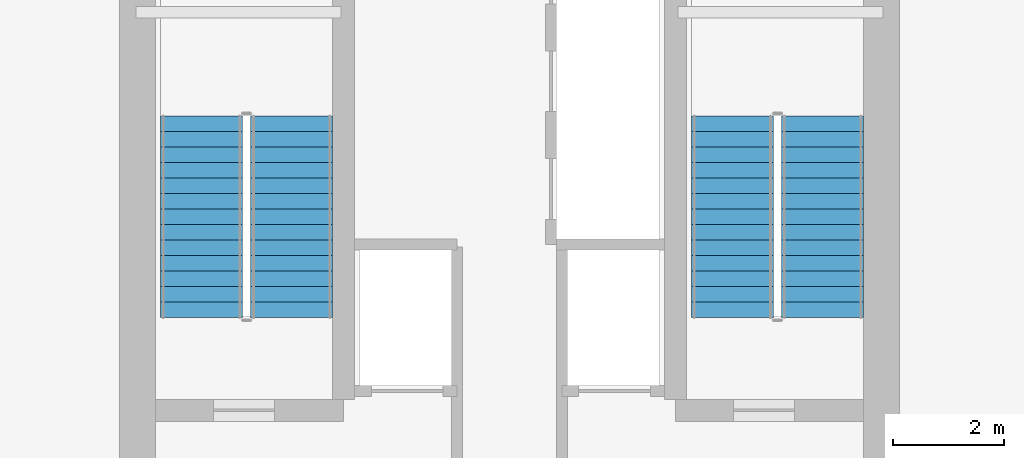
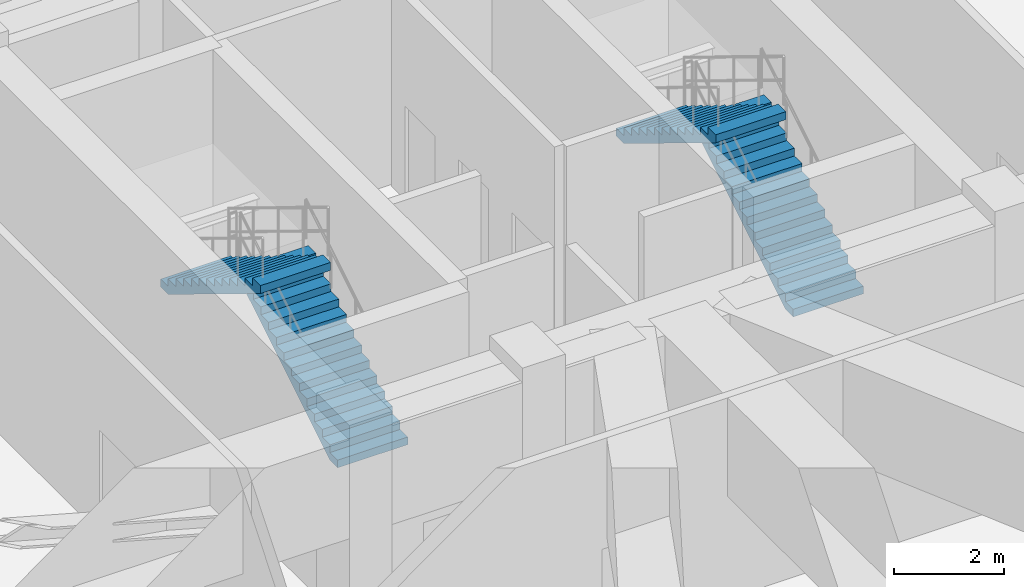
# One storey, part 34 of 36: 4 stair flights, 2 elements without a shape of their own.
"""IFC4 building model written with IfcOpenShell, lengths in metres."""

import ifcopenshell
import ifcopenshell.guid

model = None  # the IFC model being written
_history = None  # IfcOwnerHistory: only IFC2X3 demands one
_inside = {}  # id of a spatial element -> (the spatial element, [elements in it])
_under = {}  # id of a project, library or spatial element -> (it, [spatial elements below it])
_declared = {}  # id of a project -> (the project, [libraries it declares])
_typed = {}  # id of a type object -> (the type object, [elements of that type])
_made_of = {}  # id of a material, layer set ... -> (it, [elements and type objects made of it])


def new_model(schema):
    """Start an empty IFC model of exactly this schema.

    Asked for "IFC4X3", IfcOpenShell would pick the latest addendum, in which some entities
    have other attributes; the version numbers below select the first issue.
    IFC2X3 requires an IfcOwnerHistory on every rooted entity: one is made here for all.
    """
    global model, _history
    if schema == "IFC4X3":
        model = ifcopenshell.file(schema_version=(4, 3, 0, 0))
    else:
        model = ifcopenshell.file(schema=schema)
    _inside.clear()
    _under.clear()
    _declared.clear()
    _typed.clear()
    _made_of.clear()
    _history = None
    if model.schema == "IFC2X3":
        org = make("IfcOrganization", Name="unknown")
        user = make(
            "IfcPersonAndOrganization",
            ThePerson=make("IfcPerson", FamilyName="unknown"),
            TheOrganization=org,
        )
        app = make(
            "IfcApplication",
            ApplicationDeveloper=org,
            Version="unknown",
            ApplicationFullName="unknown",
            ApplicationIdentifier="unknown",
        )
        _history = make(
            "IfcOwnerHistory",
            OwningUser=user,
            OwningApplication=app,
            ChangeAction="ADDED",
            CreationDate=0,
        )
    return model


def make(cls, **values):
    """One entity of the class cls with the attributes given. An attribute that is None is left unset."""
    return model.create_entity(
        cls, **{name: value for name, value in values.items() if value is not None}
    )


def rooted(cls, **values):
    """An entity with a GlobalId (a new one), such as an element, a storey or a relation."""
    return make(cls, GlobalId=ifcopenshell.guid.new(), OwnerHistory=_history, **values)


def si_unit(unit_type, name, prefix=None):
    """IfcSIUnit, for example si_unit("LENGTHUNIT", "METRE", prefix="MILLI")."""
    return make("IfcSIUnit", UnitType=unit_type, Prefix=prefix, Name=name)


def assignment(units):
    """IfcUnitAssignment: the units of a project."""
    return None if units is None else make("IfcUnitAssignment", Units=units)


def point(xyz):
    """IfcCartesianPoint."""
    return None if xyz is None else make("IfcCartesianPoint", Coordinates=xyz)


def direction(xyz):
    """IfcDirection."""
    return None if xyz is None else make("IfcDirection", DirectionRatios=xyz)


def frame(location, z_axis=None, x_axis=None):
    """IfcAxis2Placement3D, a coordinate frame: its origin and axes. An axis left out is left unset."""
    return make(
        "IfcAxis2Placement3D",
        Location=point(location),
        Axis=direction(z_axis),
        RefDirection=direction(x_axis),
    )


def origin():
    """The frame at (0, 0, 0) with its axes left unset."""
    return frame((0.0, 0.0, 0.0))


def place(relative_to, where):
    """IfcLocalPlacement: puts the frame where relative to a parent placement (None: the world)."""
    return make(
        "IfcLocalPlacement", PlacementRelTo=relative_to, RelativePlacement=where
    )


def context(
    kind, dimensions, precision=None, world=None, true_north=None, identifier=None
):
    """IfcGeometricRepresentationContext, for example the 3D "Model" context."""
    return make(
        "IfcGeometricRepresentationContext",
        ContextIdentifier=identifier,
        ContextType=kind,
        CoordinateSpaceDimension=dimensions,
        Precision=precision,
        WorldCoordinateSystem=world,
        TrueNorth=true_north,
    )


def subcontext(parent, identifier, kind, view, scale=None):
    """IfcGeometricRepresentationSubContext, for example "Body" below "Model"."""
    return make(
        "IfcGeometricRepresentationSubContext",
        ContextIdentifier=identifier,
        ContextType=kind,
        ParentContext=parent,
        TargetScale=scale,
        TargetView=view,
    )


def project(units=None, contexts=None):
    """IfcProject with its units and contexts."""
    return rooted(
        "IfcProject",
        Name="project",
        RepresentationContexts=contexts,
        UnitsInContext=assignment(units),
    )


def spatial(cls, under=None, at=None, **own):
    """A site, building, storey or space (cls), placed at a placement, below another one or the project."""
    s = rooted(cls, ObjectPlacement=at, **own)
    if under is not None:
        _under.setdefault(under.id(), (under, []))[1].append(s)
    return s


def polyline(points):
    """IfcPolyline through the points."""
    return make("IfcPolyline", Points=[point(p) for p in points])


def outline(outer, holes=None, kind="AREA"):
    """IfcArbitraryClosedProfileDef: a profile drawn as a closed curve; with holes, ...WithVoids."""
    if holes is None:
        return make("IfcArbitraryClosedProfileDef", ProfileType=kind, OuterCurve=outer)
    return make(
        "IfcArbitraryProfileDefWithVoids",
        ProfileType=kind,
        OuterCurve=outer,
        InnerCurves=holes,
    )


def extrude(swept, where, along, depth):
    """IfcExtrudedAreaSolid: the profile swept, set in the frame where, extruded along a direction by depth."""
    return make(
        "IfcExtrudedAreaSolid",
        SweptArea=swept,
        Position=where,
        ExtrudedDirection=direction(along),
        Depth=depth,
    )


def shape(context_of_items, identifier, shape_type, items):
    """IfcShapeRepresentation: the items that make up one representation, for example the "Body"."""
    return make(
        "IfcShapeRepresentation",
        ContextOfItems=context_of_items,
        RepresentationIdentifier=identifier,
        RepresentationType=shape_type,
        Items=items,
    )


def material(Name=None, Category=None):
    """IfcMaterial."""
    return make("IfcMaterial", Name=Name, Category=Category)


def made_of(thing, what):
    """Note that an element or type object is made of a material, layer set ...; save() writes the relation."""
    if what is not None:
        _made_of.setdefault(what.id(), (what, []))[1].append(thing)
    return thing


def type_object(cls, material=None, **own):
    """A type object (cls), such as IfcWallType, which elements share."""
    return made_of(rooted(cls, **own), material)


def element(
    cls,
    number,
    at=None,
    inside=None,
    cuts=None,
    type_object=None,
    material=None,
    context=None,
    identifier="Body",
    shape_type=None,
    held_by="IfcProductDefinitionShape",
    body=None,
    shapes=None,
    **own,
):
    """One element of the class cls, such as IfcWall. Its Tag is "e" and its number.

    at: its placement. inside: the storey or other place that contains it. cuts: it is an
    opening in that element (IfcRelVoidsElement). A single representation is given by context,
    identifier, shape_type and body (its items); several are given by shapes. held_by: the class
    of the entity that holds the representations. save() writes the other relations.
    """
    e = rooted(cls, Tag="e%d" % number, ObjectPlacement=at, **own)
    if body is not None:
        shapes = [shape(context, identifier, shape_type, body)]
    if shapes is not None:
        e.Representation = make(held_by, Representations=shapes)
    if inside is not None:
        _inside.setdefault(inside.id(), (inside, []))[1].append(e)
    if cuts is not None:
        rooted(
            "IfcRelVoidsElement", RelatingBuildingElement=cuts, RelatedOpeningElement=e
        )
    if type_object is not None:
        _typed.setdefault(type_object.id(), (type_object, []))[1].append(e)
    return made_of(e, material)


def aggregate(whole, parts):
    """IfcRelAggregates: a whole, such as a stair, and the parts it consists of."""
    return rooted("IfcRelAggregates", RelatingObject=whole, RelatedObjects=parts)


def save(model, path):
    """Write the relations noted so far, then the file.

    IfcRelAggregates (storeys below a building ...), IfcRelContainedInSpatialStructure (elements
    in a storey), IfcRelDefinesByType, IfcRelAssociatesMaterial and IfcRelDeclares: one each for
    every whole, place, type object, material and project.
    """
    for whole, parts in _under.values():
        aggregate(whole, parts)
    for where, things in _inside.values():
        rooted(
            "IfcRelContainedInSpatialStructure",
            RelatedElements=things,
            RelatingStructure=where,
        )
    for kind, things in _typed.values():
        rooted("IfcRelDefinesByType", RelatedObjects=things, RelatingType=kind)
    for what, things in _made_of.values():
        rooted("IfcRelAssociatesMaterial", RelatedObjects=things, RelatingMaterial=what)
    for by, libraries in _declared.values():
        rooted("IfcRelDeclares", RelatingContext=by, RelatedDefinitions=libraries)
    model.write(path)


model = new_model("IFC4")

# Units and contexts
model_context = context("Model", 3, precision=1e-05, world=origin(), true_north=direction((0.0, 1.0)))
body_context = subcontext(model_context, "Body", "Model", "MODEL_VIEW")
ifc_project = project(units=[si_unit("LENGTHUNIT", "METRE"), si_unit("AREAUNIT", "SQUARE_METRE"), si_unit("VOLUMEUNIT", "CUBIC_METRE"), si_unit("PLANEANGLEUNIT", "RADIAN"), si_unit("MASSUNIT", "GRAM", prefix="KILO")], contexts=[model_context])

# Site, building, storey
site_placement = place(None, origin())
site = spatial("IfcSite", under=ifc_project, at=site_placement, CompositionType="ELEMENT")
building_placement = place(site_placement, origin())
building = spatial("IfcBuilding", under=site, at=building_placement, Name="Veraguas Prism Commons", CompositionType="ELEMENT")
storey_placement = place(building_placement, frame((0.0, 0.0, 169.550048828125)))
storey = spatial("IfcBuildingStorey", under=building, at=storey_placement, Name="L48", CompositionType="ELEMENT", Elevation=169.550048828125)

# Stair, stair flights
ifc_material = material(Name="Precast concrete C45/55", Category="concrete")
stair_type = type_object("IfcStairType", Name="Dogleg Core Stair 1480W 28R 01", PredefinedType="HALF_TURN_STAIR", material=ifc_material)
stair_1_placement = place(storey_placement, origin())
stair_1 = element("IfcStair", 1, at=stair_1_placement, inside=storey, type_object=stair_type, Name="Protected Exit Stair ST-01 L48", PredefinedType="HALF_TURN_STAIR")
stair_flight_type = type_object("IfcStairFlightType", Name="Precast Stair Flight 1480W 14R 01", PredefinedType="STRAIGHT", material=ifc_material)
stair_flight_1_placement = place(storey_placement, frame((20.06005859375, 21.280029296875, 0.0), z_axis=(0.0, 0.0, 1.0), x_axis=(0.0, 1.0, 0.0)))
stair_flight_1 = element("IfcStairFlight", 2, at=stair_flight_1_placement, type_object=stair_flight_type, Name="ST-01 Flight 1", NumberOfRisers=14, NumberOfTreads=13, PredefinedType="STRAIGHT", RiserHeight=0.171428571, TreadLength=0.28, context=body_context, shape_type="SweptSolid", body=[
    extrude(outline(polyline([(0.0, 0.0), (0.0, 0.17138671875), (0.280029296875, 0.17138671875), (0.280029296875, 0.3427734375), (0.56005859375, 0.3427734375), (0.56005859375, 0.514404296875), (0.840087890625, 0.514404296875), (0.840087890625, 0.685791015625), (1.1201171875, 0.685791015625), (1.1201171875, 0.857177734375), (1.39990234375, 0.857177734375), (1.39990234375, 1.028564453125), (1.679931640625, 1.028564453125), (1.679931640625, 1.199951171875), (1.9599609375, 1.199951171875), (1.9599609375, 1.371337890625), (2.239990234375, 1.371337890625), (2.239990234375, 1.54296875), (2.52001953125, 1.54296875), (2.52001953125, 1.71435546875), (2.800048828125, 1.71435546875), (2.800048828125, 1.8857421875), (3.080078125, 1.8857421875), (3.080078125, 2.05712890625), (3.360107421875, 2.05712890625), (3.360107421875, 2.228515625), (3.639892578125, 2.228515625), (3.639892578125, 2.39990234375), (3.639892578125, 2.052734375), (0.287109375, 0.0), (0.0, 0.0)])), frame((0.0, 0.739990234375, 0.0), z_axis=(0.0, -1.0, 0.0), x_axis=(1.0, 0.0, 0.0)), (0.0, 0.0, 1.0), 1.47998046875),
])
stair_flight_2_placement = place(storey_placement, frame((18.429931640625, 24.919921875, 2.39990234375), z_axis=(0.0, 0.0, 1.0), x_axis=(0.0, -1.0, 0.0)))
stair_flight_2 = element("IfcStairFlight", 3, at=stair_flight_2_placement, type_object=stair_flight_type, Name="ST-01 Flight 2", NumberOfRisers=14, NumberOfTreads=13, PredefinedType="STRAIGHT", RiserHeight=0.171428571, TreadLength=0.28, context=body_context, shape_type="SweptSolid", body=[
    extrude(outline(polyline([(0.0, 0.0), (0.0, 0.17138671875), (0.280029296875, 0.17138671875), (0.280029296875, 0.3427734375), (0.56005859375, 0.3427734375), (0.56005859375, 0.514404296875), (0.840087890625, 0.514404296875), (0.840087890625, 0.685791015625), (1.1201171875, 0.685791015625), (1.1201171875, 0.857177734375), (1.39990234375, 0.857177734375), (1.39990234375, 1.028564453125), (1.679931640625, 1.028564453125), (1.679931640625, 1.199951171875), (1.9599609375, 1.199951171875), (1.9599609375, 1.371337890625), (2.239990234375, 1.371337890625), (2.239990234375, 1.54296875), (2.52001953125, 1.54296875), (2.52001953125, 1.71435546875), (2.800048828125, 1.71435546875), (2.800048828125, 1.8857421875), (3.080078125, 1.8857421875), (3.080078125, 2.05712890625), (3.360107421875, 2.05712890625), (3.360107421875, 2.228515625), (3.639892578125, 2.228515625), (3.639892578125, 2.39990234375), (3.639892578125, 2.052734375), (0.287109375, 0.0), (0.0, 0.0)])), frame((0.0, 0.739990234375, 0.0), z_axis=(0.0, -1.0, 0.0), x_axis=(1.0, 0.0, 0.0)), (0.0, 0.0, 1.0), 1.47998046875),
])
aggregate(stair_1, [stair_flight_1, stair_flight_2])

stair_2_placement = place(storey_placement, origin())
stair_2 = element("IfcStair", 4, at=stair_2_placement, inside=storey, type_object=stair_type, Name="Protected Exit Stair ST-02 L48", PredefinedType="HALF_TURN_STAIR")
stair_flight_3_placement = place(storey_placement, frame((29.659912109375, 21.280029296875, 0.0), z_axis=(0.0, 0.0, 1.0), x_axis=(0.0, 1.0, 0.0)))
stair_flight_3 = element("IfcStairFlight", 5, at=stair_flight_3_placement, type_object=stair_flight_type, Name="ST-01 Flight 1", NumberOfRisers=14, NumberOfTreads=13, PredefinedType="STRAIGHT", RiserHeight=0.171428571, TreadLength=0.28, context=body_context, shape_type="SweptSolid", body=[
    extrude(outline(polyline([(0.0, 0.0), (0.0, 0.17138671875), (0.280029296875, 0.17138671875), (0.280029296875, 0.3427734375), (0.56005859375, 0.3427734375), (0.56005859375, 0.514404296875), (0.840087890625, 0.514404296875), (0.840087890625, 0.685791015625), (1.1201171875, 0.685791015625), (1.1201171875, 0.857177734375), (1.39990234375, 0.857177734375), (1.39990234375, 1.028564453125), (1.679931640625, 1.028564453125), (1.679931640625, 1.199951171875), (1.9599609375, 1.199951171875), (1.9599609375, 1.371337890625), (2.239990234375, 1.371337890625), (2.239990234375, 1.54296875), (2.52001953125, 1.54296875), (2.52001953125, 1.71435546875), (2.800048828125, 1.71435546875), (2.800048828125, 1.8857421875), (3.080078125, 1.8857421875), (3.080078125, 2.05712890625), (3.360107421875, 2.05712890625), (3.360107421875, 2.228515625), (3.639892578125, 2.228515625), (3.639892578125, 2.39990234375), (3.639892578125, 2.052734375), (0.287109375, 0.0), (0.0, 0.0)])), frame((0.0, 0.739990234375, 0.0), z_axis=(0.0, -1.0, 0.0), x_axis=(1.0, 0.0, 0.0)), (0.0, 0.0, 1.0), 1.47998046875),
])
stair_flight_4_placement = place(storey_placement, frame((28.030029296875, 24.919921875, 2.39990234375), z_axis=(0.0, 0.0, 1.0), x_axis=(0.0, -1.0, 0.0)))
stair_flight_4 = element("IfcStairFlight", 6, at=stair_flight_4_placement, type_object=stair_flight_type, Name="ST-01 Flight 2", NumberOfRisers=14, NumberOfTreads=13, PredefinedType="STRAIGHT", RiserHeight=0.171428571, TreadLength=0.28, context=body_context, shape_type="SweptSolid", body=[
    extrude(outline(polyline([(0.0, 0.0), (0.0, 0.17138671875), (0.280029296875, 0.17138671875), (0.280029296875, 0.3427734375), (0.56005859375, 0.3427734375), (0.56005859375, 0.514404296875), (0.840087890625, 0.514404296875), (0.840087890625, 0.685791015625), (1.1201171875, 0.685791015625), (1.1201171875, 0.857177734375), (1.39990234375, 0.857177734375), (1.39990234375, 1.028564453125), (1.679931640625, 1.028564453125), (1.679931640625, 1.199951171875), (1.9599609375, 1.199951171875), (1.9599609375, 1.371337890625), (2.239990234375, 1.371337890625), (2.239990234375, 1.54296875), (2.52001953125, 1.54296875), (2.52001953125, 1.71435546875), (2.800048828125, 1.71435546875), (2.800048828125, 1.8857421875), (3.080078125, 1.8857421875), (3.080078125, 2.05712890625), (3.360107421875, 2.05712890625), (3.360107421875, 2.228515625), (3.639892578125, 2.228515625), (3.639892578125, 2.39990234375), (3.639892578125, 2.052734375), (0.287109375, 0.0), (0.0, 0.0)])), frame((0.0, 0.739990234375, 0.0), z_axis=(0.0, -1.0, 0.0), x_axis=(1.0, 0.0, 0.0)), (0.0, 0.0, 1.0), 1.47998046875),
])
aggregate(stair_2, [stair_flight_3, stair_flight_4])

save(model, "model.ifc")
